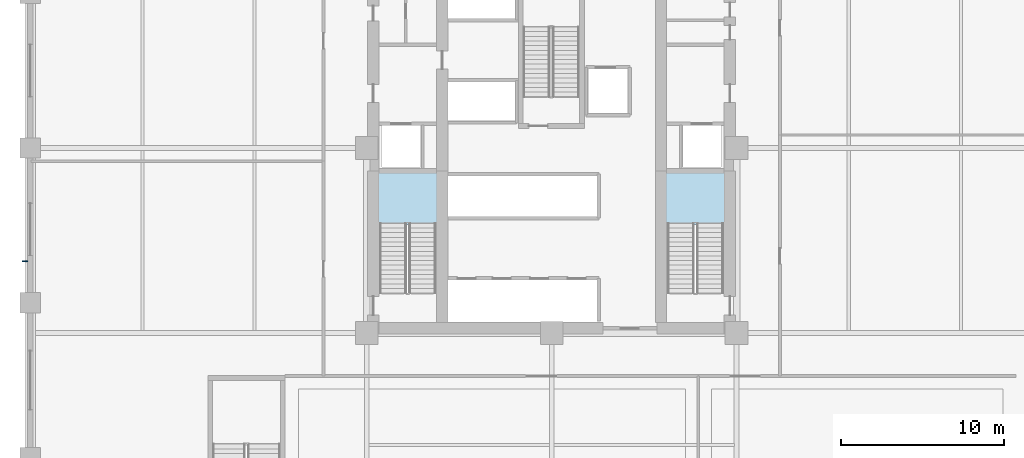
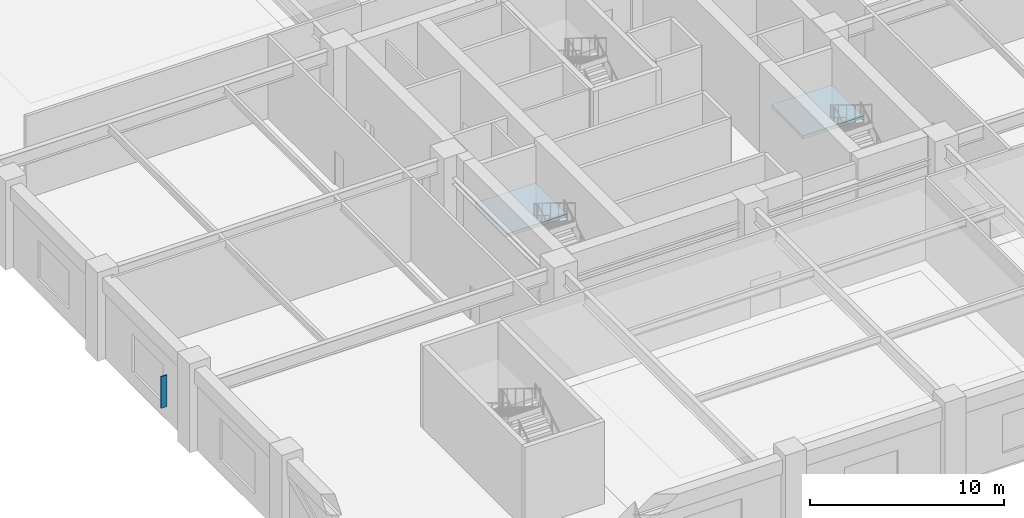
# One storey, part 2 of 14: 2 slabs, 1 plate, 2 elements without a shape of their own.
"""IFC4 building model written with IfcOpenShell, lengths in metres."""

from ifc_helpers import new_model, si_unit, direction, frame, origin, origin_2d, place, context, subcontext, project, spatial, polyline, rectangle, outline, extrude, material, layer, layer_set, type_object, element, aggregate, save


model = new_model("IFC4")

# Units and contexts
model_context = context("Model", 3, precision=1e-05, world=origin(), true_north=direction((0.0, 1.0)))
body_context = subcontext(model_context, "Body", "Model", "MODEL_VIEW")
ifc_project = project(units=[si_unit("LENGTHUNIT", "METRE"), si_unit("AREAUNIT", "SQUARE_METRE"), si_unit("VOLUMEUNIT", "CUBIC_METRE"), si_unit("PLANEANGLEUNIT", "RADIAN"), si_unit("MASSUNIT", "GRAM", prefix="KILO")], contexts=[model_context])

# Site, building, storey
site_placement = place(None, origin())
site = spatial("IfcSite", under=ifc_project, at=site_placement, CompositionType="ELEMENT")
building_placement = place(site_placement, origin())
building = spatial("IfcBuilding", under=site, at=building_placement, Name="Nhamokura Convention Tower", CompositionType="ELEMENT")
storey_placement = place(building_placement, frame((0.0, 0.0, 23.800048828125)))
storey = spatial("IfcBuildingStorey", under=building, at=storey_placement, Name="L04", CompositionType="ELEMENT", Elevation=23.800048828125)

# Plate
ifc_material_1 = material(Name="Anodised bronze aluminium AA6063-T6", Category="aluminium")
plate_type = type_object("IfcPlateType", Name="BronzeSolarFin_1", PredefinedType="USERDEFINED", material=ifc_material_1)
plate_placement = place(storey_placement, frame((-0.330078125, 25.0625, 0.849853515625), z_axis=(0.0, 0.0, 1.0), x_axis=(1.0, 0.0, 0.0)))
element("IfcPlate", 1, at=plate_placement, inside=storey, type_object=plate_type, Name="L04 Bronze Solar Shading Fin WEST 2", ObjectType="SOLAR_FIN", PredefinedType="USERDEFINED", context=body_context, shape_type="SweptSolid", body=[
    extrude(rectangle(XDim=0.340087890625, YDim=0.06005859375, at=origin_2d()), origin(), (0.0, 0.0, 1.0), 2.0),
])

# Stair, slab
ifc_material_2 = material(Name="Concrete C40/50", Category="concrete")
stair_type = type_object("IfcStairType", Name="TowerCoreStair_1650", PredefinedType="HALF_TURN_STAIR", material=ifc_material_2)
stair_1_placement = place(storey_placement, origin())
stair_1 = element("IfcStair", 2, at=stair_1_placement, inside=storey, type_object=stair_type, Name="L04 West Core Smokeproof Stair ST-01", PredefinedType="HALF_TURN_STAIR")
ifc_material_3 = material(Name="Concrete C40/50", Category="concrete")
ifc_layer = layer(ifc_material_3, 0.199951171875)
ifc_layer_set = layer_set([ifc_layer], Name="StairLandingSlab_200")
slab_type = type_object("IfcSlabType", Name="StairLandingSlab_200", PredefinedType="LANDING", material=ifc_layer_set)
slab_1_placement = place(storey_placement, frame((0.0, 0.0, 2.599853515625)))
slab_1 = element("IfcSlab", 3, at=slab_1_placement, type_object=slab_type, Name="ST-01 landing 1", PredefinedType="LANDING", context=body_context, shape_type="SweptSolid", body=[
    extrude(outline(polyline([(24.97998046875, 27.294921875), (24.97998046875, 30.530029296875), (21.3701171875, 30.530029296875), (21.3701171875, 27.294921875), (24.97998046875, 27.294921875)])), origin(), (0.0, 0.0, 1.0), 0.2001953125),
])
aggregate(stair_1, [slab_1])

stair_2_placement = place(storey_placement, origin())
stair_2 = element("IfcStair", 4, at=stair_2_placement, inside=storey, type_object=stair_type, Name="L04 East Core Smokeproof Stair ST-02", PredefinedType="HALF_TURN_STAIR")
slab_2_placement = place(storey_placement, frame((0.0, 0.0, 2.599853515625)))
slab_2 = element("IfcSlab", 5, at=slab_2_placement, type_object=slab_type, Name="ST-02 landing 1", PredefinedType="LANDING", context=body_context, shape_type="SweptSolid", body=[
    extrude(outline(polyline([(42.6298828125, 27.294921875), (42.6298828125, 30.530029296875), (39.02001953125, 30.530029296875), (39.02001953125, 27.294921875), (42.6298828125, 27.294921875)])), origin(), (0.0, 0.0, 1.0), 0.2001953125),
])
aggregate(stair_2, [slab_2])

save(model, "model.ifc")
